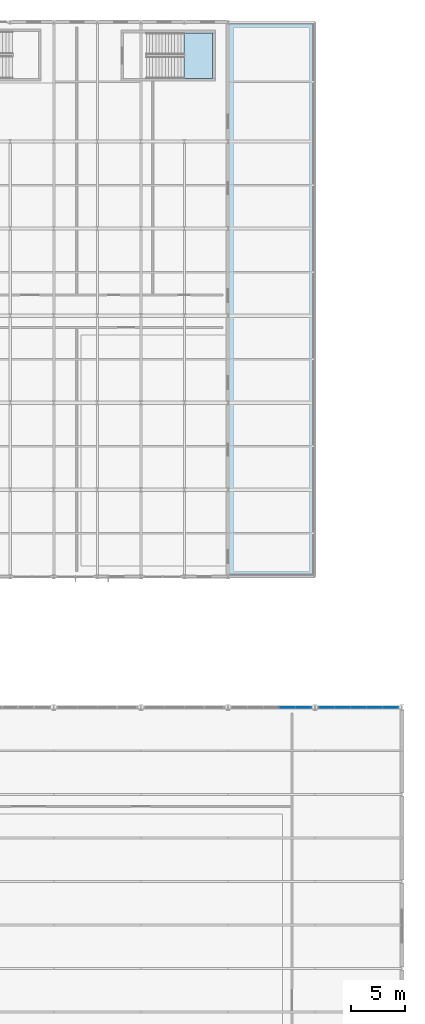
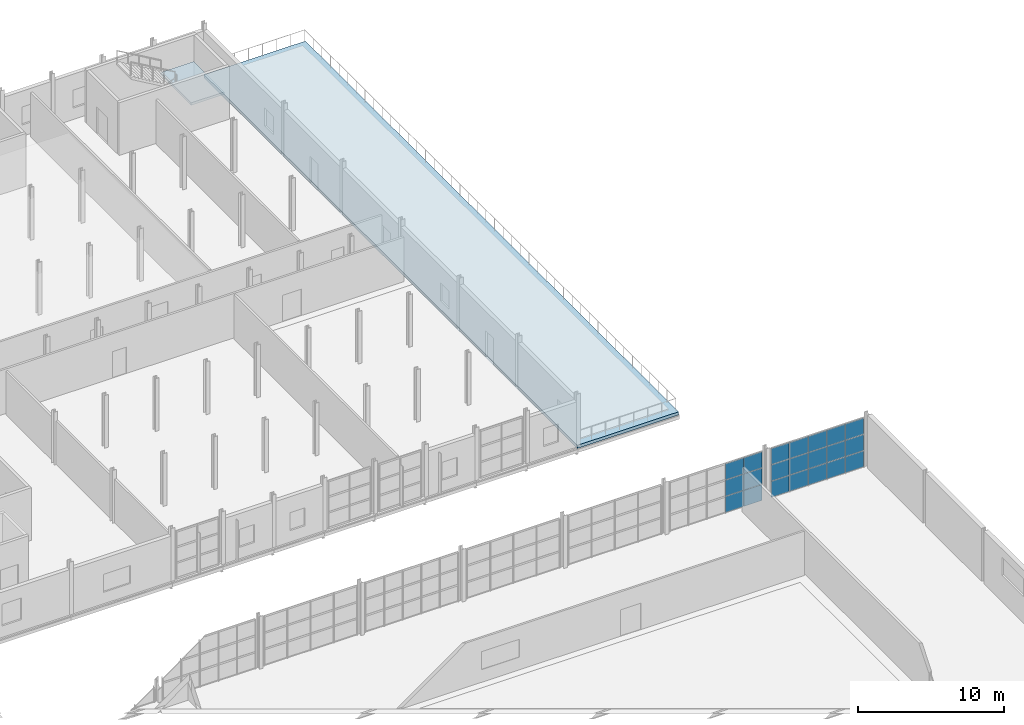
# One storey, part 130 of 153: 21 plates, 2 slabs, 3 elements without a shape of their own.
"""IFC4 building model written with IfcOpenShell, lengths in metres."""

import ifcopenshell
import ifcopenshell.guid

model = None  # the IFC model being written
_history = None  # IfcOwnerHistory: only IFC2X3 demands one
_inside = {}  # id of a spatial element -> (the spatial element, [elements in it])
_under = {}  # id of a project, library or spatial element -> (it, [spatial elements below it])
_declared = {}  # id of a project -> (the project, [libraries it declares])
_typed = {}  # id of a type object -> (the type object, [elements of that type])
_made_of = {}  # id of a material, layer set ... -> (it, [elements and type objects made of it])


def new_model(schema):
    """Start an empty IFC model of exactly this schema.

    Asked for "IFC4X3", IfcOpenShell would pick the latest addendum, in which some entities
    have other attributes; the version numbers below select the first issue.
    IFC2X3 requires an IfcOwnerHistory on every rooted entity: one is made here for all.
    """
    global model, _history
    if schema == "IFC4X3":
        model = ifcopenshell.file(schema_version=(4, 3, 0, 0))
    else:
        model = ifcopenshell.file(schema=schema)
    _inside.clear()
    _under.clear()
    _declared.clear()
    _typed.clear()
    _made_of.clear()
    _history = None
    if model.schema == "IFC2X3":
        org = make("IfcOrganization", Name="unknown")
        user = make(
            "IfcPersonAndOrganization",
            ThePerson=make("IfcPerson", FamilyName="unknown"),
            TheOrganization=org,
        )
        app = make(
            "IfcApplication",
            ApplicationDeveloper=org,
            Version="unknown",
            ApplicationFullName="unknown",
            ApplicationIdentifier="unknown",
        )
        _history = make(
            "IfcOwnerHistory",
            OwningUser=user,
            OwningApplication=app,
            ChangeAction="ADDED",
            CreationDate=0,
        )
    return model


def make(cls, **values):
    """One entity of the class cls with the attributes given. An attribute that is None is left unset."""
    return model.create_entity(
        cls, **{name: value for name, value in values.items() if value is not None}
    )


def rooted(cls, **values):
    """An entity with a GlobalId (a new one), such as an element, a storey or a relation."""
    return make(cls, GlobalId=ifcopenshell.guid.new(), OwnerHistory=_history, **values)


def si_unit(unit_type, name, prefix=None):
    """IfcSIUnit, for example si_unit("LENGTHUNIT", "METRE", prefix="MILLI")."""
    return make("IfcSIUnit", UnitType=unit_type, Prefix=prefix, Name=name)


def derived_unit(unit_type, elements):
    """IfcDerivedUnit: a product of units, each with its exponent."""
    return make(
        "IfcDerivedUnit",
        Elements=[
            make("IfcDerivedUnitElement", Unit=unit, Exponent=power)
            for unit, power in elements
        ],
        UnitType=unit_type,
    )


def assignment(units):
    """IfcUnitAssignment: the units of a project."""
    return None if units is None else make("IfcUnitAssignment", Units=units)


def point(xyz):
    """IfcCartesianPoint."""
    return None if xyz is None else make("IfcCartesianPoint", Coordinates=xyz)


def direction(xyz):
    """IfcDirection."""
    return None if xyz is None else make("IfcDirection", DirectionRatios=xyz)


def frame(location, z_axis=None, x_axis=None):
    """IfcAxis2Placement3D, a coordinate frame: its origin and axes. An axis left out is left unset."""
    return make(
        "IfcAxis2Placement3D",
        Location=point(location),
        Axis=direction(z_axis),
        RefDirection=direction(x_axis),
    )


def frame_2d(location, x_axis=None):
    """IfcAxis2Placement2D, a coordinate frame in the plane: its origin and x axis."""
    return make(
        "IfcAxis2Placement2D", Location=point(location), RefDirection=direction(x_axis)
    )


def origin():
    """The frame at (0, 0, 0) with its axes left unset."""
    return frame((0.0, 0.0, 0.0))


def origin_2d():
    """The frame at (0, 0) in the plane with its x axis left unset."""
    return frame_2d((0.0, 0.0))


def place(relative_to, where):
    """IfcLocalPlacement: puts the frame where relative to a parent placement (None: the world)."""
    return make(
        "IfcLocalPlacement", PlacementRelTo=relative_to, RelativePlacement=where
    )


def context(
    kind, dimensions, precision=None, world=None, true_north=None, identifier=None
):
    """IfcGeometricRepresentationContext, for example the 3D "Model" context."""
    return make(
        "IfcGeometricRepresentationContext",
        ContextIdentifier=identifier,
        ContextType=kind,
        CoordinateSpaceDimension=dimensions,
        Precision=precision,
        WorldCoordinateSystem=world,
        TrueNorth=true_north,
    )


def subcontext(parent, identifier, kind, view, scale=None):
    """IfcGeometricRepresentationSubContext, for example "Body" below "Model"."""
    return make(
        "IfcGeometricRepresentationSubContext",
        ContextIdentifier=identifier,
        ContextType=kind,
        ParentContext=parent,
        TargetScale=scale,
        TargetView=view,
    )


def project(units=None, contexts=None):
    """IfcProject with its units and contexts."""
    return rooted(
        "IfcProject",
        Name="project",
        RepresentationContexts=contexts,
        UnitsInContext=assignment(units),
    )


def spatial(cls, under=None, at=None, **own):
    """A site, building, storey or space (cls), placed at a placement, below another one or the project."""
    s = rooted(cls, ObjectPlacement=at, **own)
    if under is not None:
        _under.setdefault(under.id(), (under, []))[1].append(s)
    return s


def polyline(points):
    """IfcPolyline through the points."""
    return make("IfcPolyline", Points=[point(p) for p in points])


def profile(cls, at=None, kind="AREA", **sizes):
    """A parametric profile (cls). Its sizes go by their IFC names, for example OverallWidth=200.0."""
    return make(cls, ProfileType=kind, Position=at, **sizes)


def rectangle(**sizes):
    """IfcRectangleProfileDef."""
    return profile("IfcRectangleProfileDef", **sizes)


def outline(outer, holes=None, kind="AREA"):
    """IfcArbitraryClosedProfileDef: a profile drawn as a closed curve; with holes, ...WithVoids."""
    if holes is None:
        return make("IfcArbitraryClosedProfileDef", ProfileType=kind, OuterCurve=outer)
    return make(
        "IfcArbitraryProfileDefWithVoids",
        ProfileType=kind,
        OuterCurve=outer,
        InnerCurves=holes,
    )


def extrude(swept, where, along, depth):
    """IfcExtrudedAreaSolid: the profile swept, set in the frame where, extruded along a direction by depth."""
    return make(
        "IfcExtrudedAreaSolid",
        SweptArea=swept,
        Position=where,
        ExtrudedDirection=direction(along),
        Depth=depth,
    )


def shape(context_of_items, identifier, shape_type, items):
    """IfcShapeRepresentation: the items that make up one representation, for example the "Body"."""
    return make(
        "IfcShapeRepresentation",
        ContextOfItems=context_of_items,
        RepresentationIdentifier=identifier,
        RepresentationType=shape_type,
        Items=items,
    )


def material(Name=None, Category=None):
    """IfcMaterial."""
    return make("IfcMaterial", Name=Name, Category=Category)


def layer(
    of_material, thickness, ventilated=None, Name=None, Category=None, Priority=None
):
    """IfcMaterialLayer: one layer of a wall or slab, of a material (None: an air gap)."""
    return make(
        "IfcMaterialLayer",
        Material=of_material,
        LayerThickness=thickness,
        IsVentilated=ventilated,
        Name=Name,
        Category=Category,
        Priority=Priority,
    )


def layer_set(layers, Name=None):
    """IfcMaterialLayerSet."""
    return make("IfcMaterialLayerSet", MaterialLayers=layers, LayerSetName=Name)


def made_of(thing, what):
    """Note that an element or type object is made of a material, layer set ...; save() writes the relation."""
    if what is not None:
        _made_of.setdefault(what.id(), (what, []))[1].append(thing)
    return thing


def type_object(cls, material=None, **own):
    """A type object (cls), such as IfcWallType, which elements share."""
    return made_of(rooted(cls, **own), material)


def element(
    cls,
    number,
    at=None,
    inside=None,
    cuts=None,
    type_object=None,
    material=None,
    context=None,
    identifier="Body",
    shape_type=None,
    held_by="IfcProductDefinitionShape",
    body=None,
    shapes=None,
    **own,
):
    """One element of the class cls, such as IfcWall. Its Tag is "e" and its number.

    at: its placement. inside: the storey or other place that contains it. cuts: it is an
    opening in that element (IfcRelVoidsElement). A single representation is given by context,
    identifier, shape_type and body (its items); several are given by shapes. held_by: the class
    of the entity that holds the representations. save() writes the other relations.
    """
    e = rooted(cls, Tag="e%d" % number, ObjectPlacement=at, **own)
    if body is not None:
        shapes = [shape(context, identifier, shape_type, body)]
    if shapes is not None:
        e.Representation = make(held_by, Representations=shapes)
    if inside is not None:
        _inside.setdefault(inside.id(), (inside, []))[1].append(e)
    if cuts is not None:
        rooted(
            "IfcRelVoidsElement", RelatingBuildingElement=cuts, RelatedOpeningElement=e
        )
    if type_object is not None:
        _typed.setdefault(type_object.id(), (type_object, []))[1].append(e)
    return made_of(e, material)


def aggregate(whole, parts):
    """IfcRelAggregates: a whole, such as a stair, and the parts it consists of."""
    return rooted("IfcRelAggregates", RelatingObject=whole, RelatedObjects=parts)


def save(model, path):
    """Write the relations noted so far, then the file.

    IfcRelAggregates (storeys below a building ...), IfcRelContainedInSpatialStructure (elements
    in a storey), IfcRelDefinesByType, IfcRelAssociatesMaterial and IfcRelDeclares: one each for
    every whole, place, type object, material and project.
    """
    for whole, parts in _under.values():
        aggregate(whole, parts)
    for where, things in _inside.values():
        rooted(
            "IfcRelContainedInSpatialStructure",
            RelatedElements=things,
            RelatingStructure=where,
        )
    for kind, things in _typed.values():
        rooted("IfcRelDefinesByType", RelatedObjects=things, RelatingType=kind)
    for what, things in _made_of.values():
        rooted("IfcRelAssociatesMaterial", RelatedObjects=things, RelatingMaterial=what)
    for by, libraries in _declared.values():
        rooted("IfcRelDeclares", RelatingContext=by, RelatedDefinitions=libraries)
    model.write(path)


model = new_model("IFC4")

# Units and contexts
model_context = context("Model", 3, precision=1e-05, world=origin(), true_north=direction((0.0, 1.0)))
body_context = subcontext(model_context, "Body", "Model", "MODEL_VIEW")
ifc_project = project(units=[si_unit("LENGTHUNIT", "METRE"), si_unit("AREAUNIT", "SQUARE_METRE"), si_unit("VOLUMEUNIT", "CUBIC_METRE"), si_unit("PLANEANGLEUNIT", "RADIAN"), si_unit("MASSUNIT", "GRAM", prefix="KILO"), derived_unit("THERMALTRANSMITTANCEUNIT", [(si_unit("POWERUNIT", "WATT"), 1), (si_unit("LENGTHUNIT", "METRE"), -2), (si_unit("THERMODYNAMICTEMPERATUREUNIT", "KELVIN"), -1)])], contexts=[model_context])

# Site, building, storey
site_placement = place(None, origin())
site = spatial("IfcSite", under=ifc_project, at=site_placement, CompositionType="ELEMENT")
building_placement = place(site_placement, origin())
building = spatial("IfcBuilding", under=site, at=building_placement, Name="Keldorne Ridge Multi-Sports Centre", CompositionType="ELEMENT")
storey_placement = place(building_placement, frame((0.0, 0.0, 9.60009765625)))
storey = spatial("IfcBuildingStorey", under=building, at=storey_placement, Name="L02", CompositionType="ELEMENT", Elevation=9.60009765625)

# Curtain wall, plates
ifc_material_1 = material(Name="Anodized aluminium", Category="aluminium")
curtain_wall_type_1 = type_object("IfcCurtainWallType", Name="CW-CW-02", PredefinedType="NOTDEFINED", material=ifc_material_1)
curtain_wall_1_placement = place(storey_placement, origin())
curtain_wall_1 = element("IfcCurtainWall", 1, at=curtain_wall_1_placement, inside=storey, type_object=curtain_wall_type_1, Name="Upper Courts north glazing 130", PredefinedType="NOTDEFINED")
ifc_material_2 = material(Name="Double low-e insulated glazing", Category="glass")
ifc_layer_1 = layer(ifc_material_2, 0.035888671875)
ifc_layer_set_1 = layer_set([ifc_layer_1])
plate_type = type_object("IfcPlateType", Name="PLT-GL-01", PredefinedType="CURTAIN_PANEL", material=ifc_layer_set_1)
plate_1_placement = place(storey_placement, frame((158.927978515625, 54.0, 0.019775390625), z_axis=(0.0, 0.0, 1.0), x_axis=(-1.0, 0.0, 0.0)))
plate_1 = element("IfcPlate", 2, at=plate_1_placement, type_object=plate_type, Name="CW-130 glazed panel 1.1", PredefinedType="CURTAIN_PANEL", context=body_context, shape_type="SweptSolid", body=[
    extrude(rectangle(XDim=1.424072265625, YDim=0.035888671875, at=origin_2d()), origin(), (0.0, 0.0, 1.0), 1.32666015625),
])
plate_2_placement = place(storey_placement, frame((158.927978515625, 54.0, 1.386474609375), z_axis=(0.0, 0.0, 1.0), x_axis=(-1.0, 0.0, 0.0)))
plate_2 = element("IfcPlate", 3, at=plate_2_placement, type_object=plate_type, Name="CW-130 glazed panel 1.2", PredefinedType="CURTAIN_PANEL", context=body_context, shape_type="SweptSolid", body=[
    extrude(rectangle(XDim=1.424072265625, YDim=0.035888671875, at=origin_2d()), origin(), (0.0, 0.0, 1.0), 1.32666015625),
])
plate_3_placement = place(storey_placement, frame((158.927978515625, 54.0, 2.753173828125), z_axis=(0.0, 0.0, 1.0), x_axis=(-1.0, 0.0, 0.0)))
plate_3 = element("IfcPlate", 4, at=plate_3_placement, type_object=plate_type, Name="CW-130 glazed panel 1.3", PredefinedType="CURTAIN_PANEL", context=body_context, shape_type="SweptSolid", body=[
    extrude(rectangle(XDim=1.424072265625, YDim=0.035888671875, at=origin_2d()), origin(), (0.0, 0.0, 1.0), 1.32666015625),
])
plate_4_placement = place(storey_placement, frame((157.464111328125, 54.0, 0.019775390625), z_axis=(0.0, 0.0, 1.0), x_axis=(-1.0, 0.0, 0.0)))
plate_4 = element("IfcPlate", 5, at=plate_4_placement, type_object=plate_type, Name="CW-130 glazed panel 2.1", PredefinedType="CURTAIN_PANEL", context=body_context, shape_type="SweptSolid", body=[
    extrude(rectangle(XDim=1.424072265625, YDim=0.035888671875, at=origin_2d()), origin(), (0.0, 0.0, 1.0), 1.32666015625),
])
plate_5_placement = place(storey_placement, frame((157.464111328125, 54.0, 1.386474609375), z_axis=(0.0, 0.0, 1.0), x_axis=(-1.0, 0.0, 0.0)))
plate_5 = element("IfcPlate", 6, at=plate_5_placement, type_object=plate_type, Name="CW-130 glazed panel 2.2", PredefinedType="CURTAIN_PANEL", context=body_context, shape_type="SweptSolid", body=[
    extrude(rectangle(XDim=1.424072265625, YDim=0.035888671875, at=origin_2d()), origin(), (0.0, 0.0, 1.0), 1.32666015625),
])
plate_6_placement = place(storey_placement, frame((157.464111328125, 54.0, 2.753173828125), z_axis=(0.0, 0.0, 1.0), x_axis=(-1.0, 0.0, 0.0)))
plate_6 = element("IfcPlate", 7, at=plate_6_placement, type_object=plate_type, Name="CW-130 glazed panel 2.3", PredefinedType="CURTAIN_PANEL", context=body_context, shape_type="SweptSolid", body=[
    extrude(rectangle(XDim=1.424072265625, YDim=0.035888671875, at=origin_2d()), origin(), (0.0, 0.0, 1.0), 1.32666015625),
])
aggregate(curtain_wall_1, [plate_1, plate_2, plate_3, plate_4, plate_5, plate_6])

curtain_wall_type_2 = type_object("IfcCurtainWallType", Name="CW-CW-01", PredefinedType="NOTDEFINED", material=ifc_material_1)
curtain_wall_2_placement = place(storey_placement, origin())
curtain_wall_2 = element("IfcCurtainWall", 8, at=curtain_wall_2_placement, inside=storey, type_object=curtain_wall_type_2, Name="Upper Courts north glazing 137", PredefinedType="NOTDEFINED")
plate_7_placement = place(storey_placement, frame((166.927978515625, 54.0, 0.019775390625), z_axis=(0.0, 0.0, 1.0), x_axis=(-1.0, 0.0, 0.0)))
plate_7 = element("IfcPlate", 9, at=plate_7_placement, type_object=plate_type, Name="CW-137 glazed panel 1.1", PredefinedType="CURTAIN_PANEL", context=body_context, shape_type="SweptSolid", body=[
    extrude(rectangle(XDim=1.424072265625, YDim=0.035888671875, at=origin_2d()), origin(), (0.0, 0.0, 1.0), 1.32666015625),
])
plate_8_placement = place(storey_placement, frame((166.927978515625, 54.0, 1.386474609375), z_axis=(0.0, 0.0, 1.0), x_axis=(-1.0, 0.0, 0.0)))
plate_8 = element("IfcPlate", 10, at=plate_8_placement, type_object=plate_type, Name="CW-137 glazed panel 1.2", PredefinedType="CURTAIN_PANEL", context=body_context, shape_type="SweptSolid", body=[
    extrude(rectangle(XDim=1.424072265625, YDim=0.035888671875, at=origin_2d()), origin(), (0.0, 0.0, 1.0), 1.32666015625),
])
plate_9_placement = place(storey_placement, frame((166.927978515625, 54.0, 2.753173828125), z_axis=(0.0, 0.0, 1.0), x_axis=(-1.0, 0.0, 0.0)))
plate_9 = element("IfcPlate", 11, at=plate_9_placement, type_object=plate_type, Name="CW-137 glazed panel 1.3", PredefinedType="CURTAIN_PANEL", context=body_context, shape_type="SweptSolid", body=[
    extrude(rectangle(XDim=1.424072265625, YDim=0.035888671875, at=origin_2d()), origin(), (0.0, 0.0, 1.0), 1.32666015625),
])
plate_10_placement = place(storey_placement, frame((165.464111328125, 54.0, 0.019775390625), z_axis=(0.0, 0.0, 1.0), x_axis=(-1.0, 0.0, 0.0)))
plate_10 = element("IfcPlate", 12, at=plate_10_placement, type_object=plate_type, Name="CW-137 glazed panel 2.1", PredefinedType="CURTAIN_PANEL", context=body_context, shape_type="SweptSolid", body=[
    extrude(rectangle(XDim=1.424072265625, YDim=0.035888671875, at=origin_2d()), origin(), (0.0, 0.0, 1.0), 1.32666015625),
])
plate_11_placement = place(storey_placement, frame((165.464111328125, 54.0, 1.386474609375), z_axis=(0.0, 0.0, 1.0), x_axis=(-1.0, 0.0, 0.0)))
plate_11 = element("IfcPlate", 13, at=plate_11_placement, type_object=plate_type, Name="CW-137 glazed panel 2.2", PredefinedType="CURTAIN_PANEL", context=body_context, shape_type="SweptSolid", body=[
    extrude(rectangle(XDim=1.424072265625, YDim=0.035888671875, at=origin_2d()), origin(), (0.0, 0.0, 1.0), 1.32666015625),
])
plate_12_placement = place(storey_placement, frame((165.464111328125, 54.0, 2.753173828125), z_axis=(0.0, 0.0, 1.0), x_axis=(-1.0, 0.0, 0.0)))
plate_12 = element("IfcPlate", 14, at=plate_12_placement, type_object=plate_type, Name="CW-137 glazed panel 2.3", PredefinedType="CURTAIN_PANEL", context=body_context, shape_type="SweptSolid", body=[
    extrude(rectangle(XDim=1.424072265625, YDim=0.035888671875, at=origin_2d()), origin(), (0.0, 0.0, 1.0), 1.32666015625),
])
plate_13_placement = place(storey_placement, frame((164.0, 54.0, 0.019775390625), z_axis=(0.0, 0.0, 1.0), x_axis=(-1.0, 0.0, 0.0)))
plate_13 = element("IfcPlate", 15, at=plate_13_placement, type_object=plate_type, Name="CW-137 glazed panel 3.1", PredefinedType="CURTAIN_PANEL", context=body_context, shape_type="SweptSolid", body=[
    extrude(rectangle(XDim=1.424072265625, YDim=0.035888671875, at=origin_2d()), origin(), (0.0, 0.0, 1.0), 1.32666015625),
])
plate_14_placement = place(storey_placement, frame((164.0, 54.0, 1.386474609375), z_axis=(0.0, 0.0, 1.0), x_axis=(-1.0, 0.0, 0.0)))
plate_14 = element("IfcPlate", 16, at=plate_14_placement, type_object=plate_type, Name="CW-137 glazed panel 3.2", PredefinedType="CURTAIN_PANEL", context=body_context, shape_type="SweptSolid", body=[
    extrude(rectangle(XDim=1.424072265625, YDim=0.035888671875, at=origin_2d()), origin(), (0.0, 0.0, 1.0), 1.32666015625),
])
plate_15_placement = place(storey_placement, frame((164.0, 54.0, 2.753173828125), z_axis=(0.0, 0.0, 1.0), x_axis=(-1.0, 0.0, 0.0)))
plate_15 = element("IfcPlate", 17, at=plate_15_placement, type_object=plate_type, Name="CW-137 glazed panel 3.3", PredefinedType="CURTAIN_PANEL", context=body_context, shape_type="SweptSolid", body=[
    extrude(rectangle(XDim=1.424072265625, YDim=0.035888671875, at=origin_2d()), origin(), (0.0, 0.0, 1.0), 1.32666015625),
])
plate_16_placement = place(storey_placement, frame((162.535888671875, 54.0, 0.019775390625), z_axis=(0.0, 0.0, 1.0), x_axis=(-1.0, 0.0, 0.0)))
plate_16 = element("IfcPlate", 18, at=plate_16_placement, type_object=plate_type, Name="CW-137 glazed panel 4.1", PredefinedType="CURTAIN_PANEL", context=body_context, shape_type="SweptSolid", body=[
    extrude(rectangle(XDim=1.424072265625, YDim=0.035888671875, at=origin_2d()), origin(), (0.0, 0.0, 1.0), 1.32666015625),
])
plate_17_placement = place(storey_placement, frame((162.535888671875, 54.0, 1.386474609375), z_axis=(0.0, 0.0, 1.0), x_axis=(-1.0, 0.0, 0.0)))
plate_17 = element("IfcPlate", 19, at=plate_17_placement, type_object=plate_type, Name="CW-137 glazed panel 4.2", PredefinedType="CURTAIN_PANEL", context=body_context, shape_type="SweptSolid", body=[
    extrude(rectangle(XDim=1.424072265625, YDim=0.035888671875, at=origin_2d()), origin(), (0.0, 0.0, 1.0), 1.32666015625),
])
plate_18_placement = place(storey_placement, frame((162.535888671875, 54.0, 2.753173828125), z_axis=(0.0, 0.0, 1.0), x_axis=(-1.0, 0.0, 0.0)))
plate_18 = element("IfcPlate", 20, at=plate_18_placement, type_object=plate_type, Name="CW-137 glazed panel 4.3", PredefinedType="CURTAIN_PANEL", context=body_context, shape_type="SweptSolid", body=[
    extrude(rectangle(XDim=1.424072265625, YDim=0.035888671875, at=origin_2d()), origin(), (0.0, 0.0, 1.0), 1.32666015625),
])
plate_19_placement = place(storey_placement, frame((161.072021484375, 54.0, 0.019775390625), z_axis=(0.0, 0.0, 1.0), x_axis=(-1.0, 0.0, 0.0)))
plate_19 = element("IfcPlate", 21, at=plate_19_placement, type_object=plate_type, Name="CW-137 glazed panel 5.1", PredefinedType="CURTAIN_PANEL", context=body_context, shape_type="SweptSolid", body=[
    extrude(rectangle(XDim=1.424072265625, YDim=0.035888671875, at=origin_2d()), origin(), (0.0, 0.0, 1.0), 1.32666015625),
])
plate_20_placement = place(storey_placement, frame((161.072021484375, 54.0, 1.386474609375), z_axis=(0.0, 0.0, 1.0), x_axis=(-1.0, 0.0, 0.0)))
plate_20 = element("IfcPlate", 22, at=plate_20_placement, type_object=plate_type, Name="CW-137 glazed panel 5.2", PredefinedType="CURTAIN_PANEL", context=body_context, shape_type="SweptSolid", body=[
    extrude(rectangle(XDim=1.424072265625, YDim=0.035888671875, at=origin_2d()), origin(), (0.0, 0.0, 1.0), 1.32666015625),
])
plate_21_placement = place(storey_placement, frame((161.072021484375, 54.0, 2.753173828125), z_axis=(0.0, 0.0, 1.0), x_axis=(-1.0, 0.0, 0.0)))
plate_21 = element("IfcPlate", 23, at=plate_21_placement, type_object=plate_type, Name="CW-137 glazed panel 5.3", PredefinedType="CURTAIN_PANEL", context=body_context, shape_type="SweptSolid", body=[
    extrude(rectangle(XDim=1.424072265625, YDim=0.035888671875, at=origin_2d()), origin(), (0.0, 0.0, 1.0), 1.32666015625),
])
aggregate(curtain_wall_2, [plate_7, plate_8, plate_9, plate_10, plate_11, plate_12, plate_13, plate_14, plate_15, plate_16, plate_17, plate_18, plate_19, plate_20, plate_21])

# Stair, slab
ifc_material_3 = material(Name="Concrete C35/45", Category="concrete")
stair_type = type_object("IfcStairType", Name="STR-S01", PredefinedType="HALF_TURN_STAIR", material=ifc_material_3)
stair_placement = place(storey_placement, origin())
stair = element("IfcStair", 24, at=stair_placement, inside=storey, type_object=stair_type, Name="L02 East Wing Studio Core C3", PredefinedType="HALF_TURN_STAIR")
ifc_layer_2 = layer(ifc_material_3, 0.199951171875)
ifc_layer_set_2 = layer_set([ifc_layer_2], Name="Concrete C35/45")
slab_type_1 = type_object("IfcSlabType", Name="SLB-LDG-01", PredefinedType="LANDING", material=ifc_layer_set_2)
slab_1_placement = place(storey_placement, frame((0.0, 0.0, 2.0)))
slab_1 = element("IfcSlab", 25, at=slab_1_placement, type_object=slab_type_1, Name="ST-03 landing 1", PredefinedType="LANDING", context=body_context, shape_type="SweptSolid", body=[
    extrude(outline(polyline([(147.97998046875, 111.800048828125), (150.60009765625, 111.800048828125), (150.60009765625, 115.97998046875), (147.97998046875, 115.97998046875), (147.97998046875, 111.800048828125)])), origin(), (0.0, 0.0, 1.0), 0.199951171875),
])
aggregate(stair, [slab_1])

# Slab
ifc_layer_3 = layer(ifc_material_3, 0.260009765625)
ifc_layer_set_3 = layer_set([ifc_layer_3], Name="Concrete C35/45")
slab_type_2 = type_object("IfcSlabType", Name="SLB-SL-T01", PredefinedType="FLOOR", material=ifc_layer_set_3)
slab_2_placement = place(storey_placement, frame((0.0, 0.0, -0.260009765625)))
element("IfcSlab", 26, at=slab_2_placement, inside=storey, type_object=slab_type_2, Name="Second floor Stepped East Roof Garden slab", PredefinedType="FLOOR", context=body_context, shape_type="SweptSolid", body=[
    extrude(outline(polyline([(152.0, 66.0), (160.0, 66.0), (160.0, 117.0), (152.0, 117.0), (152.0, 66.0)])), origin(), (0.0, 0.0, 1.0), 0.260009765625),
])

save(model, "model.ifc")
